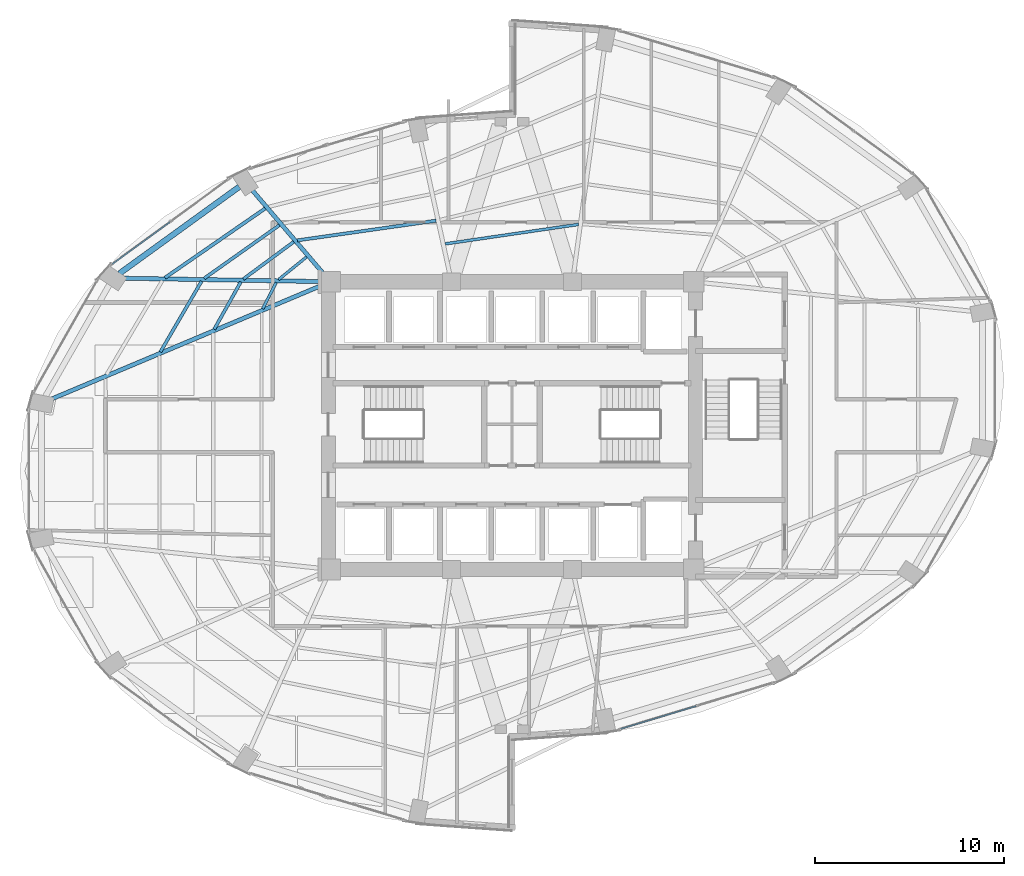
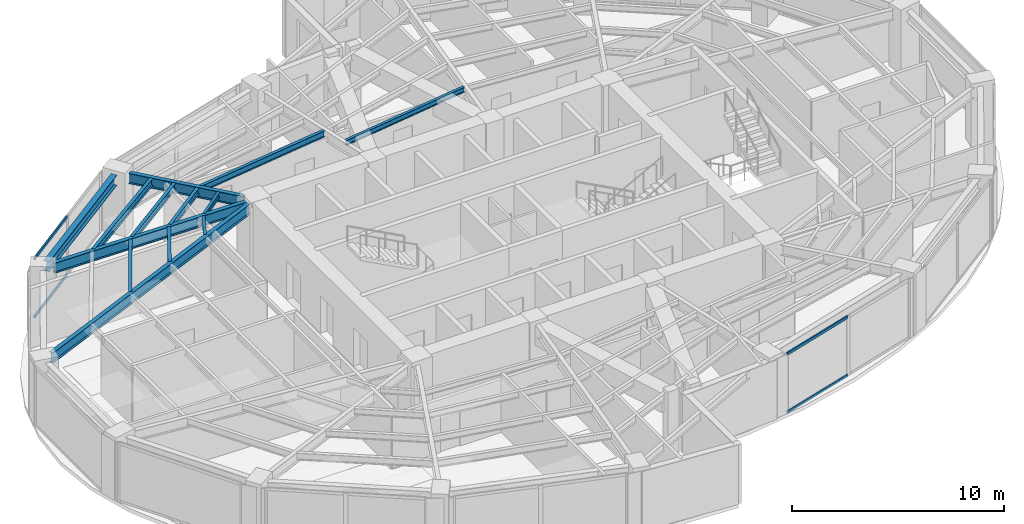
# One storey, part 9 of 23: 13 beams, 4 members, 2 elements without a shape of their own.
"""IFC4 building model written with IfcOpenShell, lengths in metres."""

from ifc_helpers import new_model, si_unit, direction, frame, origin, origin_2d, place, context, subcontext, project, spatial, hollow_rectangle, i_section, extrude, material, layer, layer_set, material_profile, profile_set, type_object, element, aggregate, save


model = new_model("IFC4")

# Units and contexts
model_context = context("Model", 3, precision=1e-05, world=origin(), true_north=direction((0.0, 1.0)))
body_context = subcontext(model_context, "Body", "Model", "MODEL_VIEW")
ifc_project = project(units=[si_unit("LENGTHUNIT", "METRE"), si_unit("AREAUNIT", "SQUARE_METRE"), si_unit("VOLUMEUNIT", "CUBIC_METRE"), si_unit("PLANEANGLEUNIT", "RADIAN"), si_unit("MASSUNIT", "GRAM", prefix="KILO")], contexts=[model_context])

# Site, building, storey
site_placement = place(None, origin())
site = spatial("IfcSite", under=ifc_project, at=site_placement, CompositionType="ELEMENT")
building_placement = place(site_placement, origin())
building = spatial("IfcBuilding", under=site, at=building_placement, Name="Lazwardi Medical Tower", CompositionType="ELEMENT")
storey_placement = place(building_placement, frame((0.0, 0.0, 89.0400390625)))
storey = spatial("IfcBuildingStorey", under=building, at=storey_placement, Name="L22", CompositionType="ELEMENT", Elevation=89.0400390625)

# Beams
ifc_material_1 = material(Name="Steel S355", Category="steel")
ifc_material_profile_1 = material_profile(ifc_material_1, i_section(OverallWidth=0.300048828125, OverallDepth=0.60009765625, WebThickness=0.015380859375, FlangeThickness=0.030029296875, at=origin_2d()), Name="HEB 600")
ifc_profile_set_1 = profile_set([ifc_material_profile_1], Name="Steel S355")
beam_type_1 = type_object("IfcBeamType", Name="BM-RB-Z2", PredefinedType="BEAM", material=ifc_profile_set_1)
beam_1_placement = place(storey_placement, frame((21.584228515625, 40.6171875, 3.1279296875), z_axis=(-0.810041907649, -0.586371987609, 0.0), x_axis=(0.586371987609, -0.810041907649, 0.0)))
element("IfcBeam", 1, at=beam_1_placement, inside=storey, type_object=beam_type_1, Name="Ring beam RB-03 B10 L22", PredefinedType="BEAM", context=body_context, shape_type="SweptSolid", body=[
    extrude(i_section(OverallWidth=0.300048828125, OverallDepth=0.60009765625, WebThickness=0.015380859375, FlangeThickness=0.030029296875, at=origin_2d()), origin(), (0.0, 0.0, 1.0), 7.814208984375),
])
ifc_material_profile_2 = material_profile(ifc_material_1, i_section(OverallWidth=0.219970703125, OverallDepth=0.60009765625, WebThickness=0.011962890625, FlangeThickness=0.01904296875, at=origin_2d()), Name="IPE 600")
ifc_profile_set_2 = profile_set([ifc_material_profile_2], Name="Steel S355")
beam_type_2 = type_object("IfcBeamType", Name="BM-RG-W1", PredefinedType="BEAM", material=ifc_profile_set_2)
beam_2_placement = place(storey_placement, frame((22.292724609375, 40.416259765625, 3.1279296875), z_axis=(0.648870567436, -0.760898801889, 0.0), x_axis=(0.760898801889, 0.648870567436, 0.0)))
element("IfcBeam", 2, at=beam_2_placement, inside=storey, type_object=beam_type_2, Name="Radial girder RG-02 R10 L22", PredefinedType="BEAM", context=body_context, shape_type="SweptSolid", body=[
    extrude(i_section(OverallWidth=0.219970703125, OverallDepth=0.60009765625, WebThickness=0.011962890625, FlangeThickness=0.01904296875, at=origin_2d()), origin(), (0.0, 0.0, 1.0), 5.794677734375),
])
beam_3_placement = place(storey_placement, frame((15.502197265625, 35.784912109375, 3.1279296875), z_axis=(0.99985616395, -0.016960289263, 0.0), x_axis=(0.016960289263, 0.99985616395, 0.0)))
element("IfcBeam", 3, at=beam_3_placement, inside=storey, type_object=beam_type_2, Name="Radial girder RG-02 R11 L22", PredefinedType="BEAM", context=body_context, shape_type="SweptSolid", body=[
    extrude(i_section(OverallWidth=0.219970703125, OverallDepth=0.60009765625, WebThickness=0.011962890625, FlangeThickness=0.01904296875, at=origin_2d()), origin(), (0.0, 0.0, 1.0), 10.3642578125),
])
beam_4_placement = place(storey_placement, frame((11.671630859375, 29.40478515625, 3.1279296875), z_axis=(0.921775176005, 0.38772480563, 0.0), x_axis=(-0.38772480563, 0.921775176005, 0.0)))
element("IfcBeam", 4, at=beam_4_placement, inside=storey, type_object=beam_type_2, Name="Radial girder RG-02 R12 L22", PredefinedType="BEAM", context=body_context, shape_type="SweptSolid", body=[
    extrude(i_section(OverallWidth=0.219970703125, OverallDepth=0.60009765625, WebThickness=0.011962890625, FlangeThickness=0.01904296875, at=origin_2d()), origin(), (0.0, 0.0, 1.0), 15.443359375),
])
ifc_material_profile_3 = material_profile(ifc_material_1, i_section(OverallWidth=0.179931640625, OverallDepth=0.39990234375, WebThickness=0.008544921875, FlangeThickness=0.013427734375, at=origin_2d()), Name="IPE 400")
ifc_profile_set_3 = profile_set([ifc_material_profile_3], Name="Steel S355")
beam_type_3 = type_object("IfcBeamType", Name="BM-SJ-01", PredefinedType="JOIST", material=ifc_profile_set_3)
beam_5_placement = place(storey_placement, frame((22.95849609375, 39.474609375, 3.22802734375), z_axis=(-0.822376339068, -0.568943896128, 0.0), x_axis=(0.568943896128, -0.822376339068, 0.0)))
element("IfcBeam", 5, at=beam_5_placement, inside=storey, type_object=beam_type_3, Name="Secondary joist SJ-01 R1 B10 L22", PredefinedType="JOIST", context=body_context, shape_type="SweptSolid", body=[
    extrude(i_section(OverallWidth=0.179931640625, OverallDepth=0.39990234375, WebThickness=0.008544921875, FlangeThickness=0.013427734375, at=origin_2d()), origin(), (0.0, 0.0, 1.0), 6.44189453125),
])
ifc_material_profile_4 = material_profile(ifc_material_1, i_section(OverallWidth=0.169921875, OverallDepth=0.360107421875, WebThickness=0.008056640625, FlangeThickness=0.0126953125, at=origin_2d()), Name="IPE 360")
ifc_profile_set_4 = profile_set([ifc_material_profile_4], Name="Steel S355")
beam_type_4 = type_object("IfcBeamType", Name="BM-SJ-02", PredefinedType="JOIST", material=ifc_profile_set_4)
beam_6_placement = place(storey_placement, frame((23.7109375, 38.591796875, 3.248046875), z_axis=(-0.816156371539, -0.577831097464, 0.0), x_axis=(0.577831097464, -0.816156371539, 0.0)))
element("IfcBeam", 6, at=beam_6_placement, inside=storey, type_object=beam_type_4, Name="Secondary joist SJ-02 R2 B10 L22", PredefinedType="JOIST", context=body_context, shape_type="SweptSolid", body=[
    extrude(i_section(OverallWidth=0.169921875, OverallDepth=0.360107421875, WebThickness=0.008056640625, FlangeThickness=0.0126953125, at=origin_2d()), origin(), (0.0, 0.0, 1.0), 4.8740234375),
])
beam_7_placement = place(storey_placement, frame((19.594482421875, 35.623779296875, 3.248046875), z_axis=(-0.503544274258, -0.86396942299, 0.0), x_axis=(0.86396942299, -0.503544274258, 0.0)))
element("IfcBeam", 7, at=beam_7_placement, inside=storey, type_object=beam_type_4, Name="Secondary joist SJ-02 R2 B11 L22", PredefinedType="JOIST", context=body_context, shape_type="SweptSolid", body=[
    extrude(i_section(OverallWidth=0.169921875, OverallDepth=0.360107421875, WebThickness=0.008056640625, FlangeThickness=0.0126953125, at=origin_2d()), origin(), (0.0, 0.0, 1.0), 4.321044921875),
])
beam_8_placement = place(storey_placement, frame((31.988525390625, 38.8271484375, 3.248046875), z_axis=(-0.990067108571, -0.140595592128, 0.0), x_axis=(0.140595592128, -0.990067108571, 0.0)))
element("IfcBeam", 8, at=beam_8_placement, inside=storey, type_object=beam_type_4, Name="Secondary joist SJ-02 R3 B09 L22", PredefinedType="JOIST", context=body_context, shape_type="SweptSolid", body=[
    extrude(i_section(OverallWidth=0.169921875, OverallDepth=0.360107421875, WebThickness=0.008056640625, FlangeThickness=0.0126953125, at=origin_2d()), origin(), (0.0, 0.0, 1.0), 7.409423828125),
])
beam_9_placement = place(storey_placement, frame((24.46435546875, 37.708251953125, 3.248046875), z_axis=(-0.804125525058, -0.594459536008, 0.0), x_axis=(0.594459536008, -0.804125525058, 0.0)))
element("IfcBeam", 9, at=beam_9_placement, inside=storey, type_object=beam_type_4, Name="Secondary joist SJ-02 R3 B10 L22", PredefinedType="JOIST", context=body_context, shape_type="SweptSolid", body=[
    extrude(i_section(OverallWidth=0.169921875, OverallDepth=0.360107421875, WebThickness=0.008056640625, FlangeThickness=0.0126953125, at=origin_2d()), origin(), (0.0, 0.0, 1.0), 3.30810546875),
])
beam_10_placement = place(storey_placement, frame((21.66845703125, 35.587890625, 3.248046875), z_axis=(-0.489860824278, -0.871800649711, 0.0), x_axis=(0.871800649711, -0.489860824278, 0.0)))
element("IfcBeam", 10, at=beam_10_placement, inside=storey, type_object=beam_type_4, Name="Secondary joist SJ-02 R3 B11 L22", PredefinedType="JOIST", context=body_context, shape_type="SweptSolid", body=[
    extrude(i_section(OverallWidth=0.169921875, OverallDepth=0.360107421875, WebThickness=0.008056640625, FlangeThickness=0.0126953125, at=origin_2d()), origin(), (0.0, 0.0, 1.0), 2.8662109375),
])
ifc_material_profile_5 = material_profile(ifc_material_1, i_section(OverallWidth=0.14990234375, OverallDepth=0.300048828125, WebThickness=0.007080078125, FlangeThickness=0.0107421875, at=origin_2d()), Name="IPE 300")
ifc_profile_set_5 = profile_set([ifc_material_profile_5], Name="Steel S355")
beam_type_5 = type_object("IfcBeamType", Name="BM-SJ-03", PredefinedType="JOIST", material=ifc_profile_set_5)
beam_11_placement = place(storey_placement, frame((39.511474609375, 38.62939453125, 3.278076171875), z_axis=(-0.98949221477, -0.144586157392, 0.0), x_axis=(0.144586157392, -0.98949221477, 0.0)))
element("IfcBeam", 11, at=beam_11_placement, inside=storey, type_object=beam_type_5, Name="Secondary joist SJ-03 R4 B08 L22", PredefinedType="JOIST", context=body_context, shape_type="SweptSolid", body=[
    extrude(i_section(OverallWidth=0.14990234375, OverallDepth=0.300048828125, WebThickness=0.007080078125, FlangeThickness=0.0107421875, at=origin_2d()), origin(), (0.0, 0.0, 1.0), 7.115478515625),
])
beam_12_placement = place(storey_placement, frame((25.14404296875, 36.910888671875, 3.278076171875), z_axis=(-0.77695773322, -0.629552762515, 0.0), x_axis=(0.629552762515, -0.77695773322, 0.0)))
element("IfcBeam", 12, at=beam_12_placement, inside=storey, type_object=beam_type_5, Name="Secondary joist SJ-03 R4 B10 L22", PredefinedType="JOIST", context=body_context, shape_type="SweptSolid", body=[
    extrude(i_section(OverallWidth=0.14990234375, OverallDepth=0.300048828125, WebThickness=0.007080078125, FlangeThickness=0.0107421875, at=origin_2d()), origin(), (0.0, 0.0, 1.0), 1.9013671875),
])
beam_13_placement = place(storey_placement, frame((23.537109375, 35.554443359375, 3.278076171875), z_axis=(-0.457956589674, -0.888974556427, 0.0), x_axis=(0.888974556427, -0.457956589674, 0.0)))
element("IfcBeam", 13, at=beam_13_placement, inside=storey, type_object=beam_type_5, Name="Secondary joist SJ-03 R4 B11 L22", PredefinedType="JOIST", context=body_context, shape_type="SweptSolid", body=[
    extrude(i_section(OverallWidth=0.14990234375, OverallDepth=0.300048828125, WebThickness=0.007080078125, FlangeThickness=0.0107421875, at=origin_2d()), origin(), (0.0, 0.0, 1.0), 1.558837890625),
])

# Curtain wall, members
ifc_material_2 = material(Name="Anodised bronze aluminium and solar control glazing", Category="aluminium")
ifc_layer = layer(ifc_material_2, 0.195068359375)
ifc_layer_set = layer_set([ifc_layer], Name="Anodised bronze aluminium and solar control glazing")
curtain_wall_type = type_object("IfcCurtainWallType", Name="CW-SYS-03", PredefinedType="NOTDEFINED", material=ifc_layer_set)
curtain_wall_1_placement = place(storey_placement, origin())
curtain_wall_1 = element("IfcCurtainWall", 14, at=curtain_wall_1_placement, inside=storey, type_object=curtain_wall_type, Name="L22 Unitised bronze curtain wall CW-03", PredefinedType="NOTDEFINED")
ifc_material_3 = material(Name="Anodised bronze aluminium", Category="aluminium")
ifc_material_profile_6 = material_profile(ifc_material_3, hollow_rectangle(XDim=0.074951171875, YDim=0.159912109375, WallThickness=0.00390625, at=origin_2d()), Name="ALU-TRANSOM 160x75x4")
ifc_profile_set_6 = profile_set([ifc_material_profile_6], Name="Anodised bronze aluminium")
member_type = type_object("IfcMemberType", Name="CW-TRN-01", PredefinedType="USERDEFINED", material=ifc_profile_set_6)
member_1_placement = place(storey_placement, frame((41.74609375, 11.970703125, 0.037353515625), z_axis=(0.957220865985, 0.289358279168, 0.0), x_axis=(-0.289358279168, 0.957220865985, 0.0)))
member_1 = element("IfcMember", 15, at=member_1_placement, type_object=member_type, Name="CW-03 transom 1.1", ObjectType="TRANSOM", PredefinedType="USERDEFINED", context=body_context, shape_type="SweptSolid", body=[
    extrude(hollow_rectangle(XDim=0.074951171875, YDim=0.159912109375, WallThickness=0.00390625, at=origin_2d()), origin(), (0.0, 0.0, 1.0), 4.16552734375),
])
member_2_placement = place(storey_placement, frame((41.74609375, 11.970703125, 3.390380859375), z_axis=(0.957220865985, 0.289358279168, 0.0), x_axis=(-0.289358279168, 0.957220865985, 0.0)))
member_2 = element("IfcMember", 16, at=member_2_placement, type_object=member_type, Name="CW-03 transom 1.2", ObjectType="TRANSOM", PredefinedType="USERDEFINED", context=body_context, shape_type="SweptSolid", body=[
    extrude(hollow_rectangle(XDim=0.074951171875, YDim=0.159912109375, WallThickness=0.00390625, at=origin_2d()), origin(), (0.0, 0.0, 1.0), 4.16552734375),
])
aggregate(curtain_wall_1, [member_1, member_2])

curtain_wall_2_placement = place(storey_placement, origin())
curtain_wall_2 = element("IfcCurtainWall", 17, at=curtain_wall_2_placement, inside=storey, type_object=curtain_wall_type, Name="L22 Unitised bronze curtain wall CW-03", PredefinedType="NOTDEFINED")
member_3_placement = place(storey_placement, frame((17.918701171875, 38.752197265625, 0.037353515625), z_axis=(-0.807731734271, -0.589550206049, 0.0), x_axis=(0.589550206049, -0.807731734271, 0.0)))
member_3 = element("IfcMember", 18, at=member_3_placement, type_object=member_type, Name="CW-03 transom 2.1", ObjectType="TRANSOM", PredefinedType="USERDEFINED", context=body_context, shape_type="SweptSolid", body=[
    extrude(hollow_rectangle(XDim=0.074951171875, YDim=0.159912109375, WallThickness=0.00390625, at=origin_2d()), origin(), (0.0, 0.0, 1.0), 3.767578125),
])
member_4_placement = place(storey_placement, frame((17.918701171875, 38.752197265625, 3.390380859375), z_axis=(-0.807731734271, -0.589550206049, 0.0), x_axis=(0.589550206049, -0.807731734271, 0.0)))
member_4 = element("IfcMember", 19, at=member_4_placement, type_object=member_type, Name="CW-03 transom 2.2", ObjectType="TRANSOM", PredefinedType="USERDEFINED", context=body_context, shape_type="SweptSolid", body=[
    extrude(hollow_rectangle(XDim=0.074951171875, YDim=0.159912109375, WallThickness=0.00390625, at=origin_2d()), origin(), (0.0, 0.0, 1.0), 3.767578125),
])
aggregate(curtain_wall_2, [member_3, member_4])

save(model, "model.ifc")
